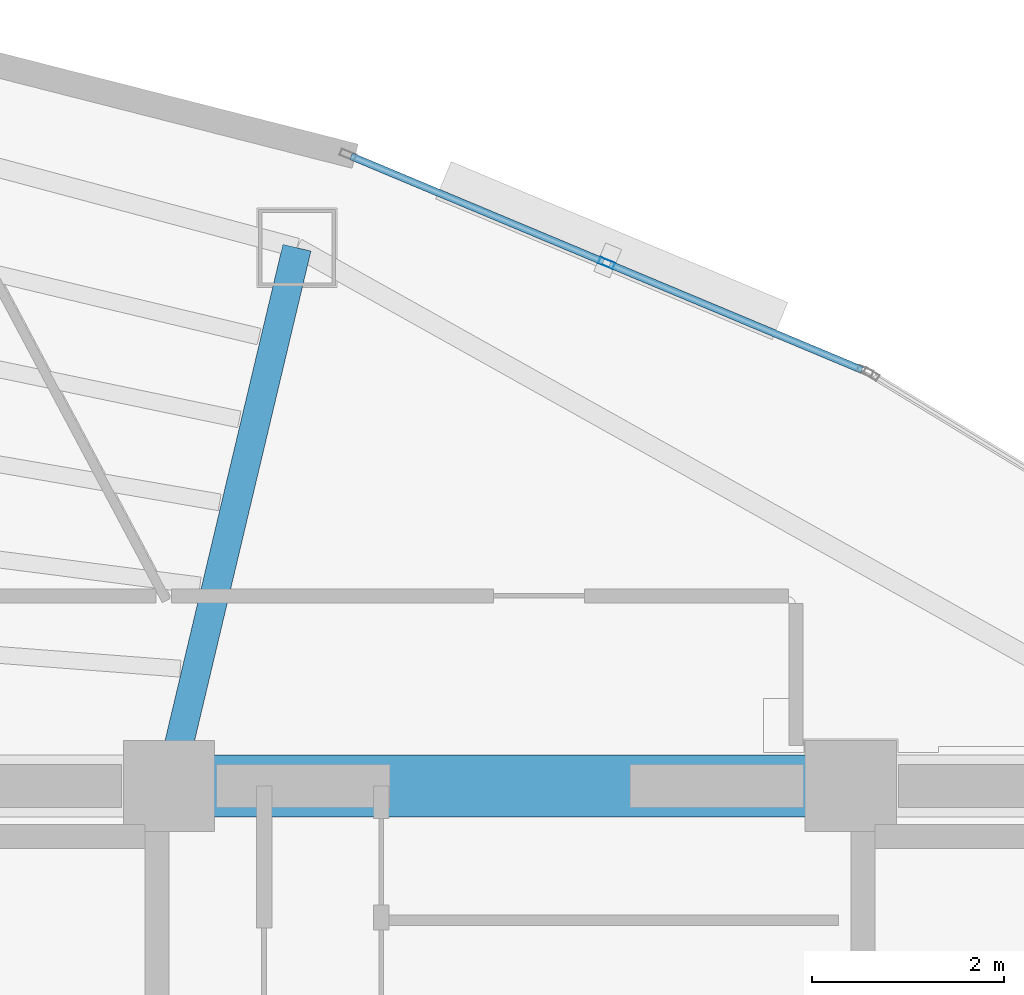
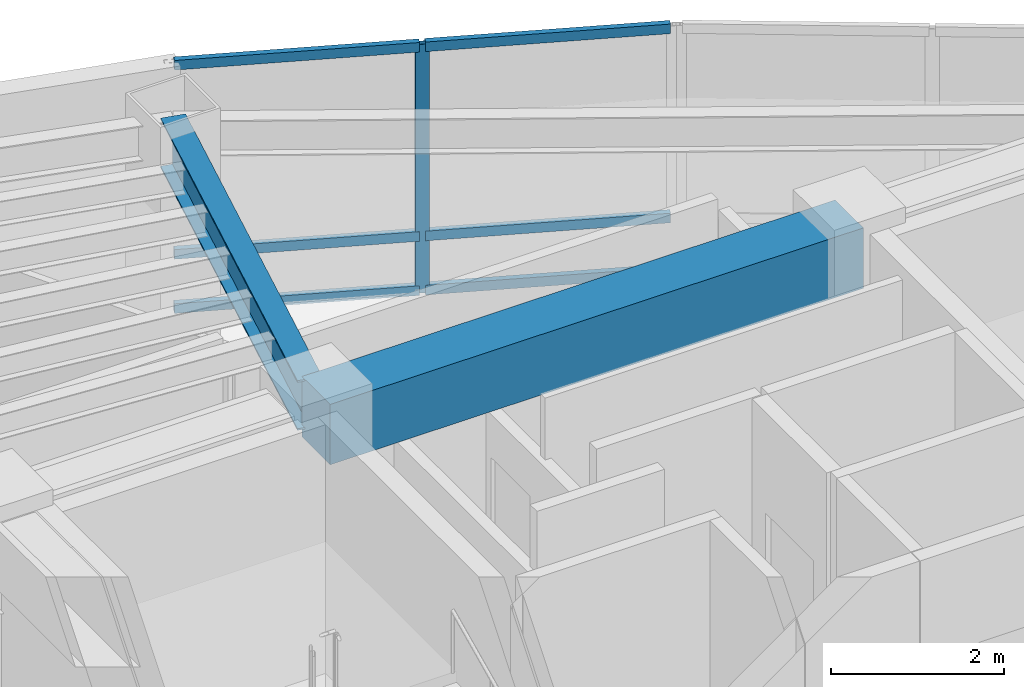
# One storey, part 8 of 15: 7 members, 2 beams, 1 element without a shape of its own.
"""IFC4 building model written with IfcOpenShell, lengths in metres."""

from ifc_helpers import new_model, si_unit, direction, frame, origin, origin_2d, place, context, subcontext, project, spatial, rectangle, hollow_rectangle, i_section, extrude, material, layer, layer_set, material_profile, profile_set, type_object, element, aggregate, save


model = new_model("IFC4")

# Units and contexts
model_context = context("Model", 3, precision=1e-05, world=origin(), true_north=direction((0.0, 1.0)))
body_context = subcontext(model_context, "Body", "Model", "MODEL_VIEW")
ifc_project = project(units=[si_unit("LENGTHUNIT", "METRE"), si_unit("AREAUNIT", "SQUARE_METRE"), si_unit("VOLUMEUNIT", "CUBIC_METRE"), si_unit("PLANEANGLEUNIT", "RADIAN"), si_unit("MASSUNIT", "GRAM", prefix="KILO")], contexts=[model_context])

# Site, building, storey
site_placement = place(None, origin())
site = spatial("IfcSite", under=ifc_project, at=site_placement, CompositionType="ELEMENT")
building_placement = place(site_placement, origin())
building = spatial("IfcBuilding", under=site, at=building_placement, Name="Menara Vayukalpa", CompositionType="ELEMENT")
storey_placement = place(building_placement, frame((0.0, 0.0, 250.860107421875)))
storey = spatial("IfcBuildingStorey", under=building, at=storey_placement, Name="L63", CompositionType="ELEMENT", Elevation=250.860107421875)

# Beams
ifc_material_1 = material(Name="Concrete C60/75", Category="concrete")
ifc_material_profile_1 = material_profile(ifc_material_1, rectangle(XDim=0.64990234375, YDim=0.85009765625, at=origin_2d()), Name="RC 650x850")
ifc_profile_set_1 = profile_set([ifc_material_profile_1], Name="Concrete C60/75")
beam_type_1 = type_object("IfcBeamType", Name="BM-CB1", PredefinedType="BEAM", material=ifc_profile_set_1)
beam_1_placement = place(storey_placement, frame((22.050048828125, 26.800048828125, 3.074951171875), z_axis=(1.0, 0.0, 0.0), x_axis=(0.0, 1.0, 0.0)))
element("IfcBeam", 1, at=beam_1_placement, inside=storey, type_object=beam_type_1, Name="L63 Core Tie Beam CBR5", PredefinedType="BEAM", context=body_context, shape_type="SweptSolid", body=[
    extrude(rectangle(XDim=0.64990234375, YDim=0.85009765625, at=origin_2d()), origin(), (0.0, 0.0, 1.0), 7.099853515625),
])
ifc_material_2 = material(Name="Steel S355", Category="steel")
ifc_material_profile_2 = material_profile(ifc_material_2, i_section(OverallWidth=0.300048828125, OverallDepth=0.699951171875, WebThickness=0.012939453125, FlangeThickness=0.02392578125, at=origin_2d()), Name="WF 700x300x13x24")
ifc_profile_set_2 = profile_set([ifc_material_profile_2], Name="Steel S355")
beam_type_2 = type_object("IfcBeamType", Name="BM-PG5", PredefinedType="BEAM", material=ifc_profile_set_2)
beam_2_placement = place(storey_placement, frame((22.10791015625, 27.043212890625, 3.14990234375), z_axis=(0.231167310854, 0.972914011818, 0.0), x_axis=(-0.972914011818, 0.231167310854, 0.0)))
element("IfcBeam", 2, at=beam_2_placement, inside=storey, type_object=beam_type_2, Name="L63 Primary Radial Girder RG03", PredefinedType="BEAM", context=body_context, shape_type="SweptSolid", body=[
    extrude(i_section(OverallWidth=0.300048828125, OverallDepth=0.699951171875, WebThickness=0.012939453125, FlangeThickness=0.02392578125, at=origin_2d()), origin(), (0.0, 0.0, 1.0), 5.5107421875),
])

# Curtain wall, members
ifc_material_3 = material(Name="Anodised Terracotta Aluminium Alloy 6063-T6", Category="masonry")
ifc_layer = layer(ifc_material_3, 0.1650390625)
ifc_layer_set = layer_set([ifc_layer], Name="Anodised Terracotta Aluminium Alloy 6063-T6")
curtain_wall_type = type_object("IfcCurtainWallType", Name="CW-CW6", PredefinedType="USERDEFINED", material=ifc_layer_set)
curtain_wall_placement = place(storey_placement, origin())
curtain_wall = element("IfcCurtainWall", 3, at=curtain_wall_placement, inside=storey, type_object=curtain_wall_type, Name="L63 Observation and Executive Curtain Wall CW6 05", ObjectType="UNITISED", PredefinedType="USERDEFINED")
ifc_material_4 = material(Name="Anodised Terracotta Aluminium Alloy 6063-T6", Category="masonry")
ifc_material_profile_3 = material_profile(ifc_material_4, hollow_rectangle(XDim=0.070068359375, YDim=0.1650390625, WallThickness=0.00390625, at=origin_2d()), Name="ALU 70x165x4")
ifc_profile_set_3 = profile_set([ifc_material_profile_3], Name="Anodised Terracotta Aluminium Alloy 6063-T6")
member_type_1 = type_object("IfcMemberType", Name="CWM-CW6", PredefinedType="MULLION", material=ifc_profile_set_3)
member_1_placement = place(storey_placement, frame((26.60595703125, 32.2451171875, 0.0), z_axis=(0.0, 0.0, 1.0), x_axis=(-0.385899911703, -0.922540653927, 0.0)))
member_1 = element("IfcMember", 4, at=member_1_placement, type_object=member_type_1, Name="CW6 mullion 2", PredefinedType="MULLION", context=body_context, shape_type="SweptSolid", body=[
    extrude(hollow_rectangle(XDim=0.070068359375, YDim=0.1650390625, WallThickness=0.00390625, at=origin_2d()), origin(), (0.0, 0.0, 1.0), 3.5),
])
ifc_material_5 = material(Name="Anodised Terracotta Aluminium Alloy 6063-T6", Category="masonry")
ifc_material_profile_4 = material_profile(ifc_material_5, hollow_rectangle(XDim=0.074951171875, YDim=0.135009765625, WallThickness=0.00390625, at=origin_2d()), Name="ALU 75x135x4")
ifc_profile_set_4 = profile_set([ifc_material_profile_4], Name="Anodised Terracotta Aluminium Alloy 6063-T6")
member_type_2 = type_object("IfcMemberType", Name="CWT-CW6", PredefinedType="USERDEFINED", material=ifc_profile_set_4)
member_2_placement = place(storey_placement, frame((29.266357421875, 31.13232421875, 0.037353515625), z_axis=(-0.922528286758, 0.385929475592, 0.0), x_axis=(-0.385929475592, -0.922528286758, 0.0)))
member_2 = element("IfcMember", 5, at=member_2_placement, type_object=member_type_2, Name="CW6 transom 1.1", ObjectType="TRANSOM", PredefinedType="USERDEFINED", context=body_context, shape_type="SweptSolid", body=[
    extrude(hollow_rectangle(XDim=0.074951171875, YDim=0.135009765625, WallThickness=0.00390625, at=origin_2d()), origin(), (0.0, 0.0, 1.0), 2.8486328125),
])
member_3_placement = place(storey_placement, frame((29.266357421875, 31.13232421875, 0.7998046875), z_axis=(-0.922528286758, 0.385929475592, 0.0), x_axis=(-0.385929475592, -0.922528286758, 0.0)))
member_3 = element("IfcMember", 6, at=member_3_placement, type_object=member_type_2, Name="CW6 transom 1.2", ObjectType="TRANSOM", PredefinedType="USERDEFINED", context=body_context, shape_type="SweptSolid", body=[
    extrude(hollow_rectangle(XDim=0.074951171875, YDim=0.135009765625, WallThickness=0.00390625, at=origin_2d()), origin(), (0.0, 0.0, 1.0), 2.8486328125),
])
member_4_placement = place(storey_placement, frame((29.266357421875, 31.13232421875, 3.46240234375), z_axis=(-0.922528286758, 0.385929475592, 0.0), x_axis=(-0.385929475592, -0.922528286758, 0.0)))
member_4 = element("IfcMember", 7, at=member_4_placement, type_object=member_type_2, Name="CW6 transom 1.3", ObjectType="TRANSOM", PredefinedType="USERDEFINED", context=body_context, shape_type="SweptSolid", body=[
    extrude(hollow_rectangle(XDim=0.074951171875, YDim=0.135009765625, WallThickness=0.00390625, at=origin_2d()), origin(), (0.0, 0.0, 1.0), 2.8486328125),
])
member_5_placement = place(storey_placement, frame((26.57373046875, 32.258544921875, 0.037353515625), z_axis=(-0.922541050276, 0.38589896418, 0.0), x_axis=(-0.38589896418, -0.922541050276, 0.0)))
member_5 = element("IfcMember", 8, at=member_5_placement, type_object=member_type_2, Name="CW6 transom 2.1", ObjectType="TRANSOM", PredefinedType="USERDEFINED", context=body_context, shape_type="SweptSolid", body=[
    extrude(hollow_rectangle(XDim=0.074951171875, YDim=0.135009765625, WallThickness=0.00390625, at=origin_2d()), origin(), (0.0, 0.0, 1.0), 2.848876953125),
])
member_6_placement = place(storey_placement, frame((26.57373046875, 32.258544921875, 0.7998046875), z_axis=(-0.922541050276, 0.38589896418, 0.0), x_axis=(-0.38589896418, -0.922541050276, 0.0)))
member_6 = element("IfcMember", 9, at=member_6_placement, type_object=member_type_2, Name="CW6 transom 2.2", ObjectType="TRANSOM", PredefinedType="USERDEFINED", context=body_context, shape_type="SweptSolid", body=[
    extrude(hollow_rectangle(XDim=0.074951171875, YDim=0.135009765625, WallThickness=0.00390625, at=origin_2d()), origin(), (0.0, 0.0, 1.0), 2.848876953125),
])
member_7_placement = place(storey_placement, frame((26.57373046875, 32.258544921875, 3.46240234375), z_axis=(-0.922541050276, 0.38589896418, 0.0), x_axis=(-0.38589896418, -0.922541050276, 0.0)))
member_7 = element("IfcMember", 10, at=member_7_placement, type_object=member_type_2, Name="CW6 transom 2.3", ObjectType="TRANSOM", PredefinedType="USERDEFINED", context=body_context, shape_type="SweptSolid", body=[
    extrude(hollow_rectangle(XDim=0.074951171875, YDim=0.135009765625, WallThickness=0.00390625, at=origin_2d()), origin(), (0.0, 0.0, 1.0), 2.848876953125),
])
aggregate(curtain_wall, [member_1, member_2, member_3, member_4, member_5, member_6, member_7])

save(model, "model.ifc")
